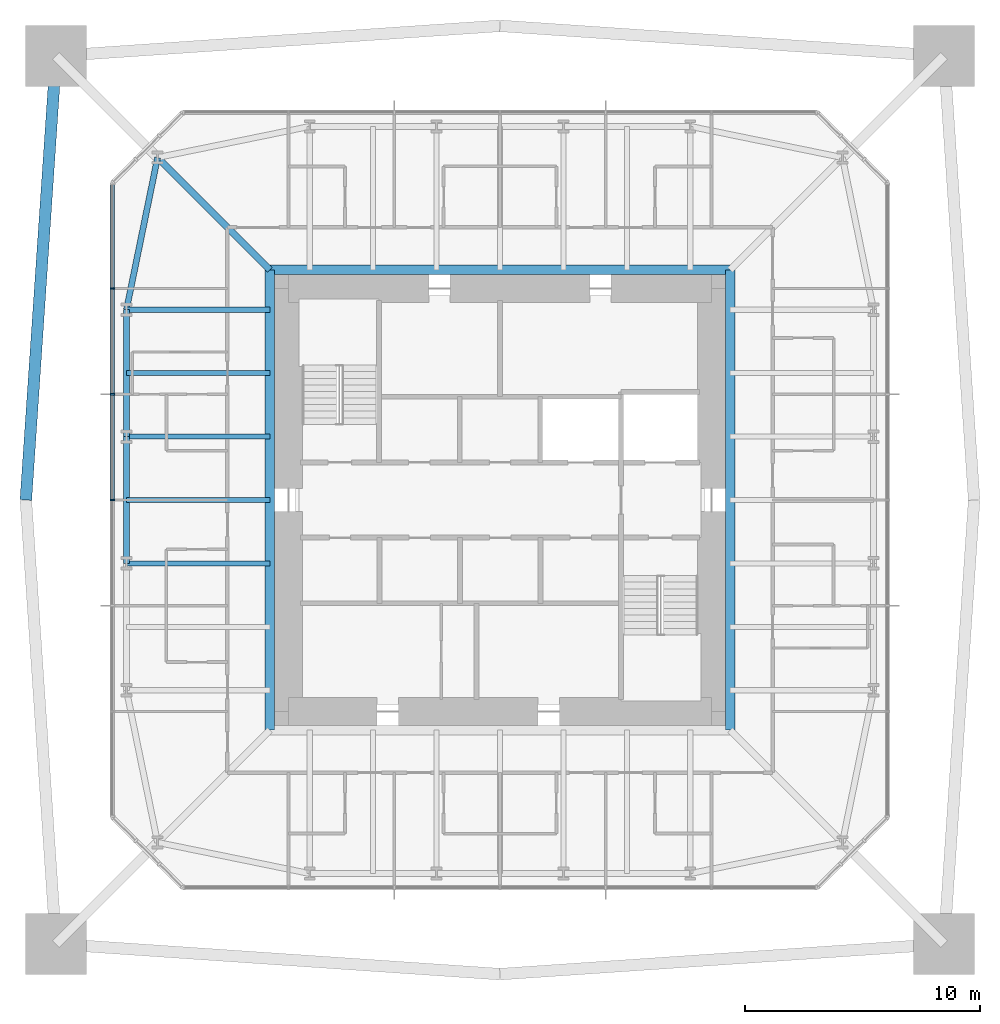
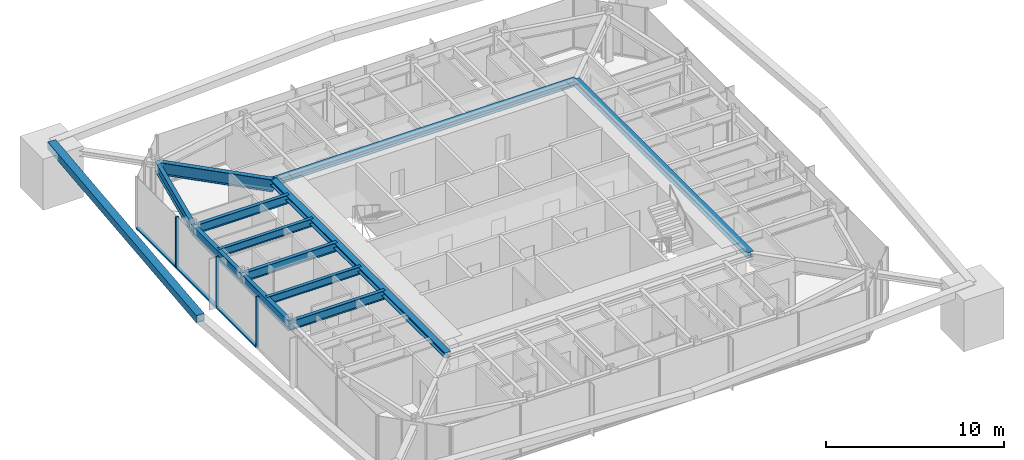
# One storey, part 3 of 11: 12 beams, 7 members, 1 element without a shape of its own.
"""IFC4 building model written with IfcOpenShell, lengths in metres."""

from ifc_helpers import new_model, si_unit, direction, frame, origin, origin_2d, place, context, subcontext, project, spatial, rectangle, hollow_rectangle, i_section, extrude, material, material_profile, profile_set, type_object, element, aggregate, save


model = new_model("IFC4")

# Units and contexts
model_context = context("Model", 3, precision=1e-05, world=origin(), true_north=direction((0.0, 1.0)))
body_context = subcontext(model_context, "Body", "Model", "MODEL_VIEW")
ifc_project = project(units=[si_unit("LENGTHUNIT", "METRE"), si_unit("AREAUNIT", "SQUARE_METRE"), si_unit("VOLUMEUNIT", "CUBIC_METRE"), si_unit("PLANEANGLEUNIT", "RADIAN"), si_unit("MASSUNIT", "GRAM", prefix="KILO")], contexts=[model_context])

# Site, building, storey
site_placement = place(None, origin())
site = spatial("IfcSite", under=ifc_project, at=site_placement, CompositionType="ELEMENT")
building_placement = place(site_placement, origin())
building = spatial("IfcBuilding", under=site, at=building_placement, Name="Iwan Alto Co-Living Towers", CompositionType="ELEMENT")
storey_placement = place(building_placement, frame((0.0, 0.0, 222.0)))
storey = spatial("IfcBuildingStorey", under=building, at=storey_placement, Name="L60", CompositionType="ELEMENT", Elevation=222.0)

# Curtain wall, members
ifc_material_1 = material(Name="Bronze aluminium unitised frame", Category="aluminium")
curtain_wall_type = type_object("IfcCurtainWallType", Name="CURTAIN WALL CW-A", PredefinedType="NOTDEFINED", material=ifc_material_1)
curtain_wall_placement = place(storey_placement, origin())
curtain_wall = element("IfcCurtainWall", 1, at=curtain_wall_placement, inside=storey, type_object=curtain_wall_type, Name="T1 curtain wall W L60", PredefinedType="NOTDEFINED")
ifc_material_2 = material(Name="Aluminium 6063-T6 bronze anodised", Category="aluminium")
ifc_material_profile_1 = material_profile(ifc_material_2, rectangle(XDim=0.199951171875, YDim=0.080078125, at=origin_2d()), Name="AL 80X200")
ifc_profile_set_1 = profile_set([ifc_material_profile_1], Name="Aluminium 6063-T6 bronze anodised")
member_type_1 = type_object("IfcMemberType", Name="CW-A MULLION 80X200", PredefinedType="MULLION", material=ifc_profile_set_1)
member_1_placement = place(storey_placement, frame((-16.5, 9.0, 0.0), z_axis=(0.0, 0.0, 1.0), x_axis=(1.0, 0.0, 0.0)))
member_1 = element("IfcMember", 2, at=member_1_placement, type_object=member_type_1, Name="CW-A mullion 2", PredefinedType="MULLION", context=body_context, shape_type="SweptSolid", body=[
    extrude(rectangle(XDim=0.199951171875, YDim=0.080078125, at=origin_2d()), origin(), (0.0, 0.0, 1.0), 3.5),
])
member_2_placement = place(storey_placement, frame((-16.5, 4.5, 0.0), z_axis=(0.0, 0.0, 1.0), x_axis=(1.0, 0.0, 0.0)))
member_2 = element("IfcMember", 3, at=member_2_placement, type_object=member_type_1, Name="CW-A mullion 3", PredefinedType="MULLION", context=body_context, shape_type="SweptSolid", body=[
    extrude(rectangle(XDim=0.199951171875, YDim=0.080078125, at=origin_2d()), origin(), (0.0, 0.0, 1.0), 3.5),
])
member_3_placement = place(storey_placement, frame((-16.5, 0.0, 0.0), z_axis=(0.0, 0.0, 1.0), x_axis=(1.0, 0.0, 0.0)))
member_3 = element("IfcMember", 4, at=member_3_placement, type_object=member_type_1, Name="CW-A mullion 4", PredefinedType="MULLION", context=body_context, shape_type="SweptSolid", body=[
    extrude(rectangle(XDim=0.199951171875, YDim=0.080078125, at=origin_2d()), origin(), (0.0, 0.0, 1.0), 3.5),
])
ifc_material_3 = material(Name="Aluminium 6063-T6 bronze anodised", Category="aluminium")
ifc_material_profile_2 = material_profile(ifc_material_3, rectangle(XDim=0.199951171875, YDim=0.10009765625, at=origin_2d()), Name="AL 200X100")
ifc_profile_set_2 = profile_set([ifc_material_profile_2], Name="Aluminium 6063-T6 bronze anodised")
member_type_2 = type_object("IfcMemberType", Name="CW-A TRANSOM 200X100", PredefinedType="USERDEFINED", material=ifc_profile_set_2)
member_4_placement = place(storey_placement, frame((-16.5, 13.419921875, 0.050048828125), z_axis=(0.0, -1.0, 0.0), x_axis=(1.0, 0.0, 0.0)))
member_4 = element("IfcMember", 5, at=member_4_placement, type_object=member_type_2, Name="CW-A transom 1.1", ObjectType="TRANSOM", PredefinedType="USERDEFINED", context=body_context, shape_type="SweptSolid", body=[
    extrude(rectangle(XDim=0.199951171875, YDim=0.10009765625, at=origin_2d()), origin(), (0.0, 0.0, 1.0), 4.3798828125),
])
member_5_placement = place(storey_placement, frame((-16.5, 8.9599609375, 0.050048828125), z_axis=(0.0, -1.0, 0.0), x_axis=(1.0, 0.0, 0.0)))
member_5 = element("IfcMember", 6, at=member_5_placement, type_object=member_type_2, Name="CW-A transom 2.1", ObjectType="TRANSOM", PredefinedType="USERDEFINED", context=body_context, shape_type="SweptSolid", body=[
    extrude(rectangle(XDim=0.199951171875, YDim=0.10009765625, at=origin_2d()), origin(), (0.0, 0.0, 1.0), 4.419921875),
])
member_6_placement = place(storey_placement, frame((-16.5, 4.4599609375, 0.050048828125), z_axis=(0.0, -1.0, 0.0), x_axis=(1.0, 0.0, 0.0)))
member_6 = element("IfcMember", 7, at=member_6_placement, type_object=member_type_2, Name="CW-A transom 3.1", ObjectType="TRANSOM", PredefinedType="USERDEFINED", context=body_context, shape_type="SweptSolid", body=[
    extrude(rectangle(XDim=0.199951171875, YDim=0.10009765625, at=origin_2d()), origin(), (0.0, 0.0, 1.0), 4.419921875),
])
aggregate(curtain_wall, [member_1, member_2, member_3, member_4, member_5, member_6])

# Beams
ifc_material_4 = material(Name="Steel ASTM A992 Gr 50", Category="steel")
ifc_material_profile_3 = material_profile(ifc_material_4, i_section(OverallWidth=0.398681640625, OverallDepth=0.385986328125, WebThickness=0.02099609375, FlangeThickness=0.033203125, at=origin_2d()), Name="W14X176")
ifc_profile_set_3 = profile_set([ifc_material_profile_3], Name="Steel ASTM A992 Gr 50")
beam_type_1 = type_object("IfcBeamType", Name="T1 CORE LEDGER BEAM W14X176", PredefinedType="BEAM", material=ifc_profile_set_3)
for number, where, z_axis, x_axis, name in (
    (8, (9.79931640625, -9.79931640625, 3.076904296875), (0.0, 1.0, 0.0), (-1.0, 0.0, 0.0), "T1 core ledger beam E L61"),
    (9, (9.79931640625, 9.79931640625, 3.076904296875), (-1.0, 0.0, 0.0), (0.0, -1.0, 0.0), "T1 core ledger beam N L61"),
    (10, (-9.79931640625, 9.79931640625, 3.076904296875), (0.0, -1.0, 0.0), (1.0, 0.0, 0.0), "T1 core ledger beam W L61"),
):
    element("IfcBeam", number, at=place(storey_placement, frame(where, z_axis=z_axis, x_axis=x_axis)), inside=storey, type_object=beam_type_1, Name=name, PredefinedType="BEAM", context=body_context, shape_type="SweptSolid", body=[
        extrude(i_section(OverallWidth=0.398681640625, OverallDepth=0.385986328125, WebThickness=0.02099609375, FlangeThickness=0.033203125, at=origin_2d()), origin(), (0.0, 0.0, 1.0), 19.5986328125),
    ])
ifc_material_5 = material(Name="Steel ASTM A992 Gr 50", Category="steel")
ifc_material_profile_4 = material_profile(ifc_material_5, i_section(OverallWidth=0.2919921875, OverallDepth=0.8408203125, WebThickness=0.0146484375, FlangeThickness=0.021728515625, at=origin_2d()), Name="W33X130")
ifc_profile_set_4 = profile_set([ifc_material_profile_4], Name="Steel ASTM A992 Gr 50")
beam_type_2 = type_object("IfcBeamType", Name="T1 CORNER GIRDER W33X130", PredefinedType="BEAM", material=ifc_profile_set_4)
beam_1_placement = place(storey_placement, frame((-14.57568359375, 14.57568359375, 2.849609375), z_axis=(0.707106781187, -0.707106781187, 0.0), x_axis=(0.707106781187, 0.707106781187, 0.0)))
element("IfcBeam", 11, at=beam_1_placement, inside=storey, type_object=beam_type_2, Name="T1 corner girder CNW L61", PredefinedType="BEAM", context=body_context, shape_type="SweptSolid", body=[
    extrude(i_section(OverallWidth=0.2919921875, OverallDepth=0.8408203125, WebThickness=0.0146484375, FlangeThickness=0.021728515625, at=origin_2d()), origin(), (0.0, 0.0, 1.0), 6.7548828125),
])
ifc_material_6 = material(Name="Steel ASTM A992 Gr 50", Category="steel")
ifc_material_profile_5 = material_profile(ifc_material_6, i_section(OverallWidth=0.25390625, OverallDepth=0.683349609375, WebThickness=0.012451171875, FlangeThickness=0.018798828125, at=origin_2d()), Name="W27X94")
ifc_profile_set_5 = profile_set([ifc_material_profile_5], Name="Steel ASTM A992 Gr 50")
beam_type_3 = type_object("IfcBeamType", Name="T1 EDGE BEAM W27X94", PredefinedType="BEAM", material=ifc_profile_set_5)
beam_2_placement = place(storey_placement, frame((-14.57568359375, 14.57568359375, 2.928466796875), z_axis=(-0.200347889618, -0.979724820103, 0.0), x_axis=(0.979724820103, -0.200347889618, 0.0)))
element("IfcBeam", 12, at=beam_2_placement, inside=storey, type_object=beam_type_3, Name="T1 edge beam CNW L61", PredefinedType="BEAM", context=body_context, shape_type="SweptSolid", body=[
    extrude(i_section(OverallWidth=0.25390625, OverallDepth=0.683349609375, WebThickness=0.012451171875, FlangeThickness=0.018798828125, at=origin_2d()), origin(), (0.0, 0.0, 1.0), 6.609619140625),
])
beam_3_placement = place(storey_placement, frame((-15.89990234375, 8.10009765625, 2.928466796875), z_axis=(0.0, -1.0, 0.0), x_axis=(1.0, 0.0, 0.0)))
element("IfcBeam", 13, at=beam_3_placement, inside=storey, type_object=beam_type_3, Name="T1 edge beam W1 L61", PredefinedType="BEAM", context=body_context, shape_type="SweptSolid", body=[
    extrude(i_section(OverallWidth=0.25390625, OverallDepth=0.683349609375, WebThickness=0.012451171875, FlangeThickness=0.018798828125, at=origin_2d()), origin(), (0.0, 0.0, 1.0), 5.400146484375),
])
beam_4_placement = place(storey_placement, frame((-15.89990234375, 2.699951171875, 2.928466796875), z_axis=(0.0, -1.0, 0.0), x_axis=(1.0, 0.0, 0.0)))
element("IfcBeam", 14, at=beam_4_placement, inside=storey, type_object=beam_type_3, Name="T1 edge beam W2 L61", PredefinedType="BEAM", context=body_context, shape_type="SweptSolid", body=[
    extrude(i_section(OverallWidth=0.25390625, OverallDepth=0.683349609375, WebThickness=0.012451171875, FlangeThickness=0.018798828125, at=origin_2d()), origin(), (0.0, 0.0, 1.0), 5.39990234375),
])

# Member
ifc_material_7 = material(Name="Steel ASTM A572 Gr 50", Category="steel")
ifc_material_profile_6 = material_profile(ifc_material_7, hollow_rectangle(XDim=0.5, YDim=0.5, WallThickness=0.031982421875, at=origin_2d()), Name="BOX 500X500X32")
ifc_profile_set_6 = profile_set([ifc_material_profile_6], Name="Steel ASTM A572 Gr 50")
member_type_3 = type_object("IfcMemberType", Name="T1 MEGA TIE BOX 500X500X32", PredefinedType="STRUT", material=ifc_profile_set_6)
member_7_placement = place(storey_placement, frame((-18.89990234375, 18.89990234375, 3.2841796875), z_axis=(-0.067661775131, -0.997708316186, 0.0), x_axis=(0.997708316186, -0.067661775131, 0.0)))
element("IfcMember", 15, at=member_7_placement, inside=storey, type_object=member_type_3, Name="T1 mega tie Z4A W 1", PredefinedType="STRUT", context=body_context, shape_type="SweptSolid", body=[
    extrude(hollow_rectangle(XDim=0.5, YDim=0.5, WallThickness=0.031982421875, at=origin_2d()), origin(), (0.0, 0.0, 1.0), 18.943359375),
])

# Beams
ifc_material_8 = material(Name="Steel ASTM A992 Gr 50", Category="steel")
ifc_material_profile_7 = material_profile(ifc_material_8, i_section(OverallWidth=0.228271484375, OverallDepth=0.607177734375, WebThickness=0.01123046875, FlangeThickness=0.017333984375, at=origin_2d()), Name="W24X76")
ifc_profile_set_7 = profile_set([ifc_material_profile_7], Name="Steel ASTM A992 Gr 50")
beam_type_4 = type_object("IfcBeamType", Name="T1 RADIAL BEAM W24X76", PredefinedType="BEAM", material=ifc_profile_set_7)
for number, where, z_axis, x_axis, name in (
    (16, (-15.89990234375, 8.10009765625, 2.966552734375), (1.0, 0.0, 0.0), (0.0, 1.0, 0.0), "T1 radial beam W1 L61"),
    (17, (-15.89990234375, 2.699951171875, 2.966552734375), (1.0, 0.0, 0.0), (0.0, 1.0, 0.0), "T1 radial beam W2 L61"),
    (18, (-15.89990234375, -2.699951171875, 2.966552734375), (1.0, 0.0, 0.0), (0.0, 1.0, 0.0), "T1 radial beam W3 L61"),
):
    element("IfcBeam", number, at=place(storey_placement, frame(where, z_axis=z_axis, x_axis=x_axis)), inside=storey, type_object=beam_type_4, Name=name, PredefinedType="BEAM", context=body_context, shape_type="SweptSolid", body=[
        extrude(i_section(OverallWidth=0.228271484375, OverallDepth=0.607177734375, WebThickness=0.01123046875, FlangeThickness=0.017333984375, at=origin_2d()), origin(), (0.0, 0.0, 1.0), 6.1005859375),
    ])
ifc_material_9 = material(Name="Steel ASTM A992 Gr 50", Category="steel")
ifc_material_profile_8 = material_profile(ifc_material_9, i_section(OverallWidth=0.209228515625, OverallDepth=0.533447265625, WebThickness=0.01025390625, FlangeThickness=0.015625, at=origin_2d()), Name="W21X62")
ifc_profile_set_8 = profile_set([ifc_material_profile_8], Name="Steel ASTM A992 Gr 50")
beam_type_5 = type_object("IfcBeamType", Name="T1 SECONDARY BEAM W21X62", PredefinedType="JOIST", material=ifc_profile_set_8)
for number, where, z_axis, x_axis, name in (
    (19, (-15.89990234375, 5.39990234375, 3.00341796875), (1.0, 0.0, 0.0), (0.0, 1.0, 0.0), "T1 secondary beam W1 L61"),
    (20, (-15.89990234375, 0.0, 3.00341796875), (1.0, 0.0, 0.0), (0.0, 1.0, 0.0), "T1 secondary beam W2 L61"),
):
    element("IfcBeam", number, at=place(storey_placement, frame(where, z_axis=z_axis, x_axis=x_axis)), inside=storey, type_object=beam_type_5, Name=name, PredefinedType="JOIST", context=body_context, shape_type="SweptSolid", body=[
        extrude(i_section(OverallWidth=0.209228515625, OverallDepth=0.533447265625, WebThickness=0.01025390625, FlangeThickness=0.015625, at=origin_2d()), origin(), (0.0, 0.0, 1.0), 6.1005859375),
    ])

save(model, "model.ifc")
